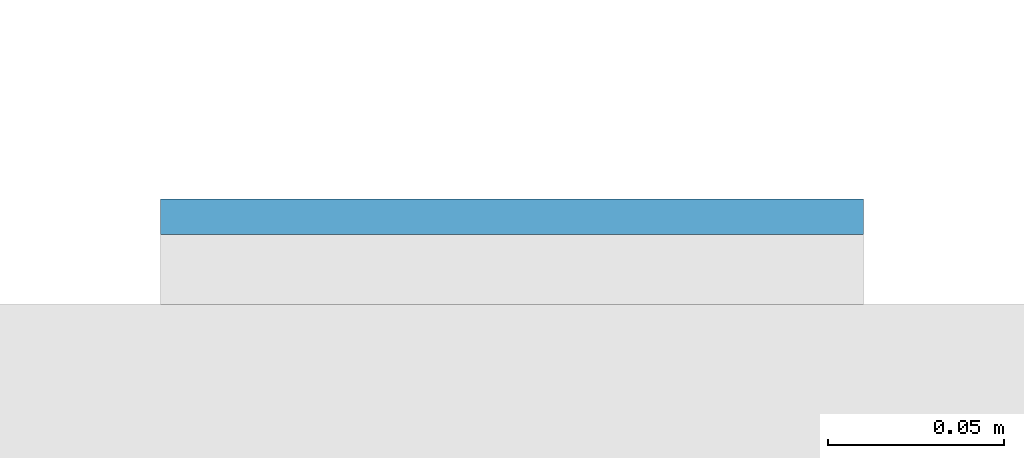
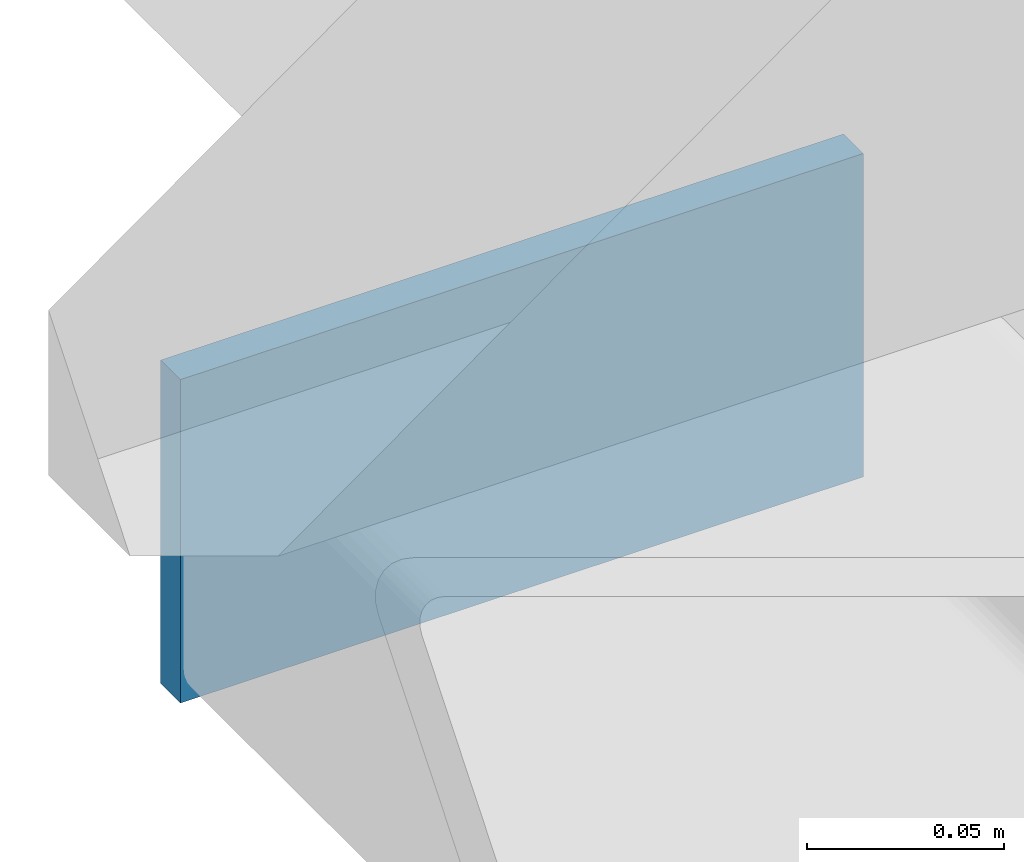
# One storey, part 9 of 20: 1 plate.
"""IFC4 building model written with IfcOpenShell, lengths in metres."""

from ifc_helpers import new_model, si_unit, direction, frame, origin, origin_2d, place, context, subcontext, project, spatial, rectangle, extrude, material, layer, layer_set, type_object, element, save


model = new_model("IFC4")

# Units and contexts
model_context = context("Model", 3, precision=1e-05, world=origin(), true_north=direction((0.0, 1.0)))
body_context = subcontext(model_context, "Body", "Model", "MODEL_VIEW")
ifc_project = project(units=[si_unit("LENGTHUNIT", "METRE"), si_unit("AREAUNIT", "SQUARE_METRE"), si_unit("VOLUMEUNIT", "CUBIC_METRE"), si_unit("PLANEANGLEUNIT", "RADIAN"), si_unit("MASSUNIT", "GRAM", prefix="KILO")], contexts=[model_context])

# Site, building, storey
site_placement = place(None, origin())
site = spatial("IfcSite", under=ifc_project, at=site_placement, CompositionType="ELEMENT")
building_placement = place(site_placement, origin())
building = spatial("IfcBuilding", under=site, at=building_placement, Name="Cleftline Residences", CompositionType="ELEMENT")
storey_placement = place(building_placement, frame((0.0, 0.0, 96.199951171875)))
storey = spatial("IfcBuildingStorey", under=building, at=storey_placement, Name="L24", CompositionType="ELEMENT", Elevation=96.199951171875)

# Plate
ifc_material = material(Name="Steel S355, hot-dip galvanised", Category="steel")
ifc_layer = layer(ifc_material, 0.010009765625)
ifc_layer_set = layer_set([ifc_layer], Name="BAGUETTE CARRIER END PLATE 200X100X10")
plate_type = type_object("IfcPlateType", Name="BAGUETTE CARRIER END PLATE 200X100X10", PredefinedType="USERDEFINED", material=ifc_layer_set)
plate_placement = place(storey_placement, frame((-0.85009765625, 44.304931640625, -0.10009765625), z_axis=(0.0, 0.0, 1.0), x_axis=(-1.0, 0.0, 0.0)))
element("IfcPlate", 1, at=plate_placement, inside=storey, type_object=plate_type, Name="Baguette carrier end plate", ObjectType="BAGUETTE CARRIER END PLATE", PredefinedType="USERDEFINED", context=body_context, shape_type="SweptSolid", body=[
    extrude(rectangle(XDim=0.199951171875, YDim=0.010009765625, at=origin_2d()), origin(), (0.0, 0.0, 1.0), 0.10009765625),
])

save(model, "model.ifc")
